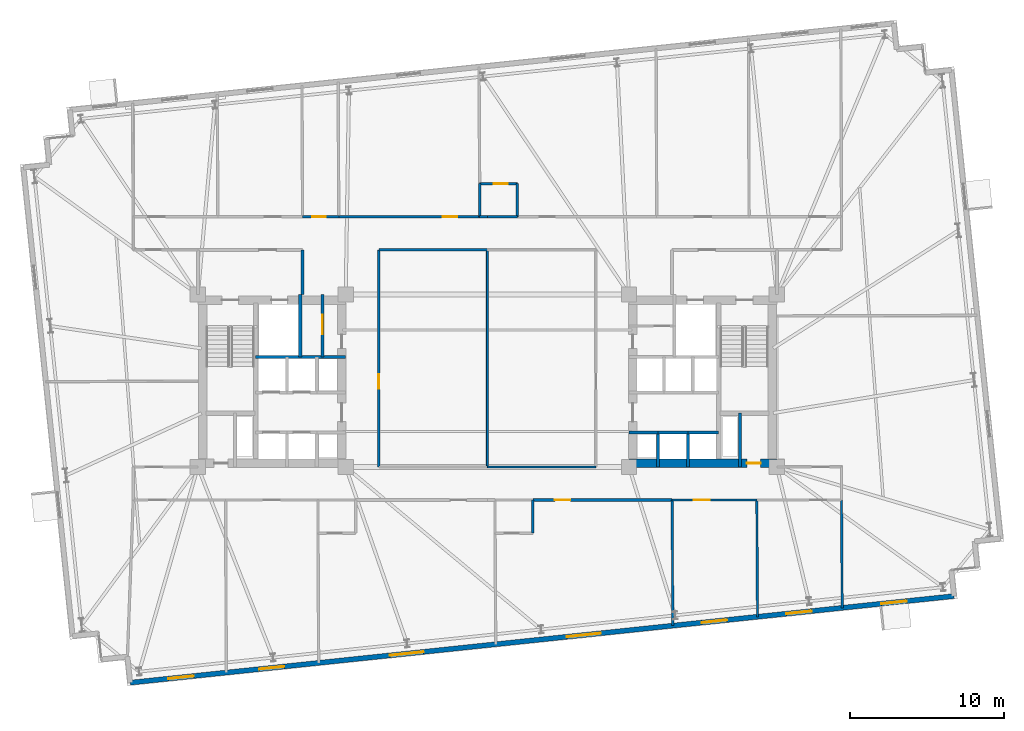
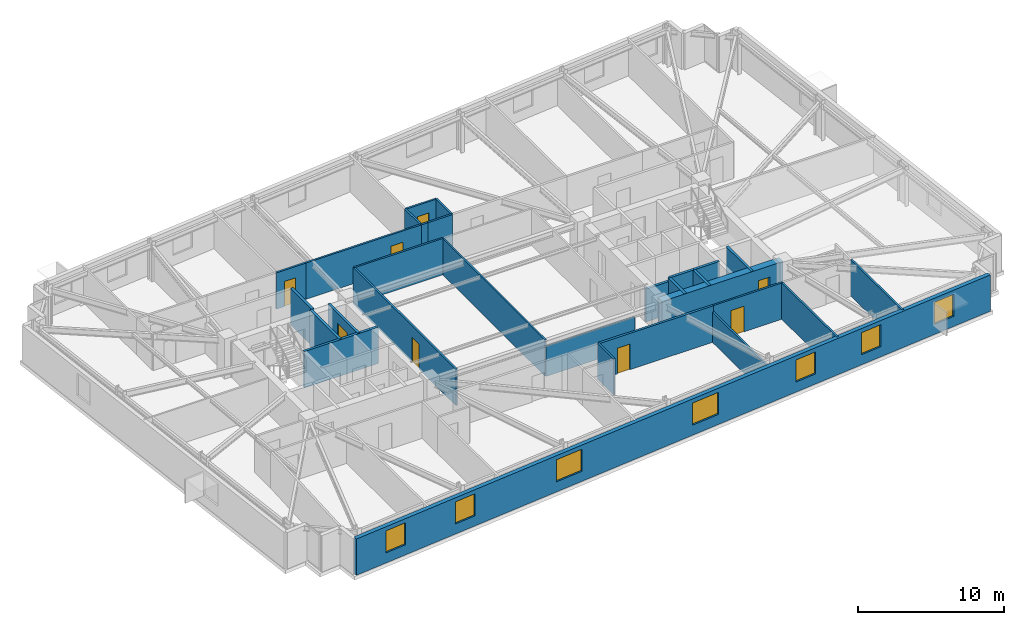
# One storey, part 13 of 18: 29 walls, 8 doors, 7 windows, 15 openings.
"""IFC4 building model written with IfcOpenShell, lengths in metres."""

from ifc_helpers import new_model, si_unit, direction, frame, frame_2d, origin, place, context, subcontext, project, spatial, rectangle, extrude, material, layer, layer_set, type_object, element, fill, save


model = new_model("IFC4")

# Units and contexts
model_context = context("Model", 3, precision=1e-05, world=origin(), true_north=direction((0.0, 1.0)))
body_context = subcontext(model_context, "Body", "Model", "MODEL_VIEW")
ifc_project = project(units=[si_unit("LENGTHUNIT", "METRE"), si_unit("AREAUNIT", "SQUARE_METRE"), si_unit("VOLUMEUNIT", "CUBIC_METRE"), si_unit("PLANEANGLEUNIT", "RADIAN"), si_unit("MASSUNIT", "GRAM", prefix="KILO")], contexts=[model_context])

# Site, building, storey
site_placement = place(None, origin())
site = spatial("IfcSite", under=ifc_project, at=site_placement, CompositionType="ELEMENT")
building_placement = place(site_placement, origin())
building = spatial("IfcBuilding", under=site, at=building_placement, Name="Qobustan Lattice House", CompositionType="ELEMENT")
storey_placement = place(building_placement, frame((0.0, 0.0, 109.14990234375)))
storey = spatial("IfcBuildingStorey", under=building, at=storey_placement, Name="L30", CompositionType="ELEMENT", Elevation=109.14990234375)

# Wall, opening, door
ifc_material_1 = material(Name="Concrete C60/75", Category="concrete")
ifc_layer_1 = layer(ifc_material_1, 0.56005859375)
ifc_layer_set_1 = layer_set([ifc_layer_1], Name="Concrete C60/75")
wall_type_1 = type_object("IfcWallType", Name="WAL-CORE-600", PredefinedType="SHEAR", material=ifc_layer_set_1)
wall_1_placement = place(storey_placement, frame((9.199951171875, -5.35009765625, 0.0), z_axis=(0.0, 0.0, 1.0), x_axis=(1.0, 0.0, 0.0)))
wall_1 = element("IfcWall", 1, at=wall_1_placement, inside=storey, type_object=wall_type_1, Name="L30 split-core shear wall CE-S", PredefinedType="SHEAR", context=body_context, shape_type="SweptSolid", body=[
    extrude(rectangle(XDim=9.60009765625, YDim=0.56005859375, at=frame_2d((4.800048828125, 0.0))), origin(), (0.0, 0.0, 1.0), 3.045166015625),
])
opening_1_placement = place(wall_1_placement, frame((7.64990234375, 0.0, 0.0)))
opening_1 = element("IfcOpeningElement", 2, at=opening_1_placement, cuts=wall_1, Name="Opening RD-01", PredefinedType="OPENING", context=body_context, shape_type="SweptSolid", body=[
    extrude(rectangle(XDim=0.89990234375, YDim=2.10009765625, at=frame_2d((0.449951171875, 1.050048828125))), frame((0.0, 0.2900390625, 0.0), z_axis=(0.0, -1.0, 0.0), x_axis=(1.0, 0.0, 0.0)), (0.0, 0.0, 1.0), 0.580078125),
])
ifc_material_2 = material(Name="Persian walnut timber and steel frame door", Category="steel")
door_type_1 = type_object("IfcDoorType", Name="DOR-RISER-FD-900x2100", OperationType="NOTDEFINED", PredefinedType="DOOR", material=ifc_material_2)
door_1_placement = place(opening_1_placement, origin())
door_1 = element("IfcDoor", 3, at=door_1_placement, inside=storey, type_object=door_type_1, Name="L30 core service riser access door E", OperationType="SINGLE_SWING_LEFT", OverallHeight=2.10009765625, OverallWidth=0.89990234375, PredefinedType="DOOR", context=body_context, shape_type="SweptSolid", body=[
    extrude(rectangle(XDim=0.89990234375, YDim=2.10009765625, at=frame_2d((0.449951171875, 1.050048828125))), frame((0.0, 0.02490234375, 0.0), z_axis=(0.0, -1.0, 0.0), x_axis=(1.0, 0.0, 0.0)), (0.0, 0.0, 1.0), 0.050048828125),
])
fill(opening_1, door_1)

# Wall, openings, windows
ifc_material_3 = material(Name="Precast concrete C40/50", Category="concrete")
ifc_layer_2 = layer(ifc_material_3, 0.320068359375)
ifc_layer_set_2 = layer_set([ifc_layer_2], Name="Precast concrete C40/50")
wall_type_2 = type_object("IfcWallType", Name="WAL-EXT-STONE-320", PredefinedType="SOLIDWALL", material=ifc_layer_set_2)
wall_2_placement = place(storey_placement, frame((30.307373046875, -13.985595703125, 0.0), z_axis=(0.0, 0.0, 1.0), x_axis=(-0.994521628355, -0.104531003701, 0.0)))
wall_2 = element("IfcWall", 4, at=wall_2_placement, inside=storey, type_object=wall_type_2, Name="L30 exterior limestone-clad wall 20", PredefinedType="SOLIDWALL", context=body_context, shape_type="SweptSolid", body=[
    extrude(rectangle(XDim=53.800048828125, YDim=0.320068359375, at=frame_2d((26.89990234375, 0.0))), origin(), (0.0, 0.0, 1.0), 3.045166015625),
])
opening_2_placement = place(wall_2_placement, frame((3.097900390625, 0.0, 0.85009765625)))
opening_2 = element("IfcOpeningElement", 5, at=opening_2_placement, cuts=wall_2, Name="Opening WN-09", PredefinedType="OPENING", context=body_context, shape_type="SweptSolid", body=[
    extrude(rectangle(XDim=1.64990234375, YDim=1.85009765625, at=frame_2d((0.824951171875, 0.925048828125))), frame((0.0, 0.169921875, 0.0), z_axis=(0.0, -1.0, 0.0), x_axis=(1.0, 0.0, 0.0)), (0.0, 0.0, 1.0), 0.340087890625),
])
opening_3_placement = place(wall_2_placement, frame((9.302490234375, 0.0, 0.85009765625)))
opening_3 = element("IfcOpeningElement", 6, at=opening_3_placement, cuts=wall_2, Name="Opening WN-09", PredefinedType="OPENING", context=body_context, shape_type="SweptSolid", body=[
    extrude(rectangle(XDim=1.64990234375, YDim=1.85009765625, at=frame_2d((0.824951171875, 0.925048828125))), frame((0.0, 0.169921875, 0.0), z_axis=(0.0, -1.0, 0.0), x_axis=(1.0, 0.0, 0.0)), (0.0, 0.0, 1.0), 0.340087890625),
])
opening_4_placement = place(wall_2_placement, frame((14.82666015625, 0.0, 0.85009765625)))
opening_4 = element("IfcOpeningElement", 7, at=opening_4_placement, cuts=wall_2, Name="Opening WN-09", PredefinedType="OPENING", context=body_context, shape_type="SweptSolid", body=[
    extrude(rectangle(XDim=1.64990234375, YDim=1.85009765625, at=frame_2d((0.824951171875, 0.925048828125))), frame((0.0, 0.169921875, 0.0), z_axis=(0.0, -1.0, 0.0), x_axis=(1.0, 0.0, 0.0)), (0.0, 0.0, 1.0), 0.340087890625),
])
opening_5_placement = place(wall_2_placement, frame((23.077880859375, 0.0, 0.85009765625)))
opening_5 = element("IfcOpeningElement", 8, at=opening_5_placement, cuts=wall_2, Name="Opening WN-03", PredefinedType="OPENING", context=body_context, shape_type="SweptSolid", body=[
    extrude(rectangle(XDim=2.199951171875, YDim=1.85009765625, at=frame_2d((1.10009765625, 0.925048828125))), frame((0.0, 0.169921875, 0.0), z_axis=(0.0, -1.0, 0.0), x_axis=(1.0, 0.0, 0.0)), (0.0, 0.0, 1.0), 0.340087890625),
])
opening_6_placement = place(wall_2_placement, frame((34.646484375, 0.0, 0.85009765625)))
opening_6 = element("IfcOpeningElement", 9, at=opening_6_placement, cuts=wall_2, Name="Opening WN-03", PredefinedType="OPENING", context=body_context, shape_type="SweptSolid", body=[
    extrude(rectangle(XDim=2.199951171875, YDim=1.85009765625, at=frame_2d((1.10009765625, 0.925048828125))), frame((0.0, 0.169921875, 0.0), z_axis=(0.0, -1.0, 0.0), x_axis=(1.0, 0.0, 0.0)), (0.0, 0.0, 1.0), 0.340087890625),
])
opening_7_placement = place(wall_2_placement, frame((43.72802734375, 0.0, 0.85009765625)))
opening_7 = element("IfcOpeningElement", 10, at=opening_7_placement, cuts=wall_2, Name="Opening WN-09", PredefinedType="OPENING", context=body_context, shape_type="SweptSolid", body=[
    extrude(rectangle(XDim=1.64990234375, YDim=1.85009765625, at=frame_2d((0.824951171875, 0.925048828125))), frame((0.0, 0.169921875, 0.0), z_axis=(0.0, -1.0, 0.0), x_axis=(1.0, 0.0, 0.0)), (0.0, 0.0, 1.0), 0.340087890625),
])
opening_8_placement = place(wall_2_placement, frame((49.652587890625, 0.0, 0.85009765625)))
opening_8 = element("IfcOpeningElement", 11, at=opening_8_placement, cuts=wall_2, Name="Opening WN-09", PredefinedType="OPENING", context=body_context, shape_type="SweptSolid", body=[
    extrude(rectangle(XDim=1.64990234375, YDim=1.85009765625, at=frame_2d((0.824951171875, 0.925048828125))), frame((0.0, 0.169921875, 0.0), z_axis=(0.0, -1.0, 0.0), x_axis=(1.0, 0.0, 0.0)), (0.0, 0.0, 1.0), 0.340087890625),
])
ifc_material_4 = material(Name="Double-glazed low-E aluminium window", Category="aluminium")
window_type_1 = type_object("IfcWindowType", Name="WIN-STU-1650x1850", PartitioningType="SINGLE_PANEL", PredefinedType="WINDOW", material=ifc_material_4)
window_1_placement = place(opening_2_placement, origin())
window_1 = element("IfcWindow", 12, at=window_1_placement, inside=storey, type_object=window_type_1, Name="L30 Fellows reading room window", OverallHeight=1.85009765625, OverallWidth=1.64990234375, PartitioningType="SINGLE_PANEL", PredefinedType="WINDOW", context=body_context, shape_type="SweptSolid", body=[
    extrude(rectangle(XDim=1.64990234375, YDim=1.85009765625, at=frame_2d((0.824951171875, 0.925048828125))), frame((0.0, 0.030029296875, 0.0), z_axis=(0.0, -1.0, 0.0), x_axis=(1.0, 0.0, 0.0)), (0.0, 0.0, 1.0), 0.06005859375),
])
fill(opening_2, window_1)
window_2_placement = place(opening_3_placement, origin())
window_2 = element("IfcWindow", 13, at=window_2_placement, inside=storey, type_object=window_type_1, Name="L30 Academic seminar room window", OverallHeight=1.85009765625, OverallWidth=1.64990234375, PartitioningType="SINGLE_PANEL", PredefinedType="WINDOW", context=body_context, shape_type="SweptSolid", body=[
    extrude(rectangle(XDim=1.64990234375, YDim=1.85009765625, at=frame_2d((0.824951171875, 0.925048828125))), frame((0.0, 0.030029296875, 0.0), z_axis=(0.0, -1.0, 0.0), x_axis=(1.0, 0.0, 0.0)), (0.0, 0.0, 1.0), 0.06005859375),
])
fill(opening_3, window_2)
window_3_placement = place(opening_4_placement, origin())
window_3 = element("IfcWindow", 14, at=window_3_placement, inside=storey, type_object=window_type_1, Name="L30 Group study room window", OverallHeight=1.85009765625, OverallWidth=1.64990234375, PartitioningType="SINGLE_PANEL", PredefinedType="WINDOW", context=body_context, shape_type="SweptSolid", body=[
    extrude(rectangle(XDim=1.64990234375, YDim=1.85009765625, at=frame_2d((0.824951171875, 0.925048828125))), frame((0.0, 0.030029296875, 0.0), z_axis=(0.0, -1.0, 0.0), x_axis=(1.0, 0.0, 0.0)), (0.0, 0.0, 1.0), 0.06005859375),
])
fill(opening_4, window_3)
window_4_placement = place(opening_7_placement, origin())
window_4 = element("IfcWindow", 15, at=window_4_placement, inside=storey, type_object=window_type_1, Name="L30 Focus study room S1B window", OverallHeight=1.85009765625, OverallWidth=1.64990234375, PartitioningType="SINGLE_PANEL", PredefinedType="WINDOW", context=body_context, shape_type="SweptSolid", body=[
    extrude(rectangle(XDim=1.64990234375, YDim=1.85009765625, at=frame_2d((0.824951171875, 0.925048828125))), frame((0.0, 0.030029296875, 0.0), z_axis=(0.0, -1.0, 0.0), x_axis=(1.0, 0.0, 0.0)), (0.0, 0.0, 1.0), 0.06005859375),
])
fill(opening_7, window_4)
window_5_placement = place(opening_8_placement, origin())
window_5 = element("IfcWindow", 16, at=window_5_placement, inside=storey, type_object=window_type_1, Name="L30 Focus study room S1A window", OverallHeight=1.85009765625, OverallWidth=1.64990234375, PartitioningType="SINGLE_PANEL", PredefinedType="WINDOW", context=body_context, shape_type="SweptSolid", body=[
    extrude(rectangle(XDim=1.64990234375, YDim=1.85009765625, at=frame_2d((0.824951171875, 0.925048828125))), frame((0.0, 0.030029296875, 0.0), z_axis=(0.0, -1.0, 0.0), x_axis=(1.0, 0.0, 0.0)), (0.0, 0.0, 1.0), 0.06005859375),
])
fill(opening_8, window_5)
ifc_material_5 = material(Name="Double-glazed low-E aluminium window", Category="aluminium")
window_type_2 = type_object("IfcWindowType", Name="WIN-WIDE-2200x1850", PartitioningType="SINGLE_PANEL", PredefinedType="WINDOW", material=ifc_material_5)
window_6_placement = place(opening_5_placement, origin())
window_6 = element("IfcWindow", 17, at=window_6_placement, inside=storey, type_object=window_type_2, Name="L30 Kitchenette and studio apartment L30-S3 window", OverallHeight=1.85009765625, OverallWidth=2.199951171875, PartitioningType="SINGLE_PANEL", PredefinedType="WINDOW", context=body_context, shape_type="SweptSolid", body=[
    extrude(rectangle(XDim=2.199951171875, YDim=1.85009765625, at=frame_2d((1.10009765625, 0.925048828125))), frame((0.0, 0.030029296875, 0.0), z_axis=(0.0, -1.0, 0.0), x_axis=(1.0, 0.0, 0.0)), (0.0, 0.0, 1.0), 0.06005859375),
])
fill(opening_5, window_6)
window_7_placement = place(opening_6_placement, origin())
window_7 = element("IfcWindow", 18, at=window_7_placement, inside=storey, type_object=window_type_2, Name="L30 Kitchenette and studio apartment L30-S2 window", OverallHeight=1.85009765625, OverallWidth=2.199951171875, PartitioningType="SINGLE_PANEL", PredefinedType="WINDOW", context=body_context, shape_type="SweptSolid", body=[
    extrude(rectangle(XDim=2.199951171875, YDim=1.85009765625, at=frame_2d((1.10009765625, 0.925048828125))), frame((0.0, 0.030029296875, 0.0), z_axis=(0.0, -1.0, 0.0), x_axis=(1.0, 0.0, 0.0)), (0.0, 0.0, 1.0), 0.06005859375),
])
fill(opening_6, window_7)

# Wall, opening, door
ifc_material_6 = material(Name="Gypsum fireboard acoustic partition", Category="gypsum")
ifc_layer_3 = layer(ifc_material_6, 0.179931640625)
ifc_layer_set_3 = layer_set([ifc_layer_3], Name="Gypsum fireboard acoustic partition")
wall_type_3 = type_object("IfcWallType", Name="WAL-FIRE-180", PredefinedType="PARTITIONING", material=ifc_layer_set_3)
wall_3_placement = place(storey_placement, frame((-10.699951171875, 5.60009765625, 0.0), z_axis=(0.0, 0.0, 1.0), x_axis=(0.0, -1.0, 0.0)))
wall_3 = element("IfcWall", 19, at=wall_3_placement, inside=storey, type_object=wall_type_3, Name="L30 interior partition 6", PredefinedType="PARTITIONING", context=body_context, shape_type="SweptSolid", body=[
    extrude(rectangle(XDim=4.050048828125, YDim=0.179931640625, at=frame_2d((2.02490234375, 0.0))), origin(), (0.0, 0.0, 1.0), 3.045166015625),
])
opening_9_placement = place(wall_3_placement, frame((1.324951171875, 0.0, 0.0)))
opening_9 = element("IfcOpeningElement", 20, at=opening_9_placement, cuts=wall_3, Name="Opening FD-03", PredefinedType="OPENING", context=body_context, shape_type="SweptSolid", body=[
    extrude(rectangle(XDim=1.25, YDim=2.199951171875, at=frame_2d((0.625, 1.10009765625))), frame((0.0, 0.099853515625, 0.0), z_axis=(0.0, -1.0, 0.0), x_axis=(1.0, 0.0, 0.0)), (0.0, 0.0, 1.0), 0.199951171875),
])
ifc_material_7 = material(Name="Persian walnut timber and steel frame door", Category="steel")
door_type_2 = type_object("IfcDoorType", Name="DOR-PLANT-1250x2200", OperationType="NOTDEFINED", PredefinedType="DOOR", material=ifc_material_7)
door_2_placement = place(opening_9_placement, origin())
door_2 = element("IfcDoor", 21, at=door_2_placement, inside=storey, type_object=door_type_2, Name="L30 Data comms closet to Linen store door", OperationType="SINGLE_SWING_LEFT", OverallHeight=2.199951171875, OverallWidth=1.25, PredefinedType="DOOR", context=body_context, shape_type="SweptSolid", body=[
    extrude(rectangle(XDim=1.25, YDim=2.199951171875, at=frame_2d((0.625, 1.10009765625))), frame((0.0, 0.02490234375, 0.0), z_axis=(0.0, -1.0, 0.0), x_axis=(1.0, 0.0, 0.0)), (0.0, 0.0, 1.0), 0.050048828125),
])
fill(opening_9, door_2)

wall_4_placement = place(storey_placement, frame((12.0, -7.75, 0.0), z_axis=(0.0, 0.0, 1.0), x_axis=(-1.0, 0.0, 0.0)))
wall_4 = element("IfcWall", 22, at=wall_4_placement, inside=storey, type_object=wall_type_3, Name="L30 interior partition 63", PredefinedType="PARTITIONING", context=body_context, shape_type="SweptSolid", body=[
    extrude(rectangle(XDim=9.050048828125, YDim=0.179931640625, at=frame_2d((4.52490234375, 0.0))), origin(), (0.0, 0.0, 1.0), 3.045166015625),
])
opening_10_placement = place(wall_4_placement, frame((6.60888671875, 0.0, 0.0)))
opening_10 = element("IfcOpeningElement", 23, at=opening_10_placement, cuts=wall_4, Name="Opening FD-02", PredefinedType="OPENING", context=body_context, shape_type="SweptSolid", body=[
    extrude(rectangle(XDim=1.0, YDim=2.14990234375, at=frame_2d((0.5, 1.074951171875))), frame((0.0, 0.099853515625, 0.0), z_axis=(0.0, -1.0, 0.0), x_axis=(1.0, 0.0, 0.0)), (0.0, 0.0, 1.0), 0.199951171875),
])
ifc_material_8 = material(Name="Persian walnut timber and steel frame door", Category="steel")
door_type_3 = type_object("IfcDoorType", Name="DOR-UNIT-FD-1000x2150", OperationType="NOTDEFINED", PredefinedType="DOOR", material=ifc_material_8)
door_3_placement = place(opening_10_placement, origin())
door_3 = element("IfcDoor", 24, at=door_3_placement, inside=storey, type_object=door_type_3, Name="L30 South-east floor corridor to Kitchenette and studio apartment L30-S3 door", OperationType="SINGLE_SWING_RIGHT", OverallHeight=2.14990234375, OverallWidth=1.0, PredefinedType="DOOR", context=body_context, shape_type="SweptSolid", body=[
    extrude(rectangle(XDim=1.0, YDim=2.14990234375, at=frame_2d((0.5, 1.074951171875))), frame((0.0, 0.02490234375, 0.0), z_axis=(0.0, -1.0, 0.0), x_axis=(1.0, 0.0, 0.0)), (0.0, 0.0, 1.0), 0.050048828125),
])
fill(opening_10, door_3)

# Walls
ifc_material_9 = material(Name="Lightweight acoustic stud partition", Category="gypsum")
ifc_layer_4 = layer(ifc_material_9, 0.125)
ifc_layer_set_4 = layer_set([ifc_layer_4], Name="Lightweight acoustic stud partition")
wall_type_4 = type_object("IfcWallType", Name="WAL-PART-125", PredefinedType="PARTITIONING", material=ifc_layer_set_4)
wall_5_placement = place(storey_placement, frame((0.0, -5.60009765625, 0.0), z_axis=(0.0, 0.0, 1.0), x_axis=(1.0, 0.0, 0.0)))
element("IfcWall", 25, at=wall_5_placement, inside=storey, type_object=wall_type_4, Name="L30 interior partition 67", PredefinedType="PARTITIONING", context=body_context, shape_type="SweptSolid", body=[
    extrude(rectangle(XDim=7.050048828125, YDim=0.125, at=frame_2d((3.52490234375, 0.0))), origin(), (0.0, 0.0, 1.0), 2.530029296875),
])
wall_6_placement = place(storey_placement, frame((0.0, 8.5, 0.0), z_axis=(0.0, 0.0, 1.0), x_axis=(0.0, -1.0, 0.0)))
element("IfcWall", 26, at=wall_6_placement, inside=storey, type_object=wall_type_4, Name="L30 interior partition 96", PredefinedType="PARTITIONING", context=body_context, shape_type="SweptSolid", body=[
    extrude(rectangle(XDim=14.10009765625, YDim=0.125, at=frame_2d((7.050048828125, 0.0))), origin(), (0.0, 0.0, 1.0), 3.045166015625),
])

# Wall, opening, door
ifc_material_10 = material(Name="Acoustic twin-stud gypsum partition", Category="gypsum")
ifc_layer_5 = layer(ifc_material_10, 0.14990234375)
ifc_layer_set_5 = layer_set([ifc_layer_5], Name="Acoustic twin-stud gypsum partition")
wall_type_5 = type_object("IfcWallType", Name="WAL-PART-150", PredefinedType="PARTITIONING", material=ifc_layer_set_5)
wall_7_placement = place(storey_placement, frame((-9.64990234375, 10.64990234375, 0.0), z_axis=(0.0, 0.0, 1.0), x_axis=(1.0, 0.0, 0.0)))
wall_7 = element("IfcWall", 27, at=wall_7_placement, inside=storey, type_object=wall_type_5, Name="L30 interior partition 43", PredefinedType="PARTITIONING", context=body_context, shape_type="SweptSolid", body=[
    extrude(rectangle(XDim=9.14990234375, YDim=0.14990234375, at=frame_2d((4.574951171875, 0.0))), origin(), (0.0, 0.0, 1.0), 3.045166015625),
])
opening_11_placement = place(wall_7_placement, frame((6.739990234375, 0.0, 0.0)))
opening_11 = element("IfcOpeningElement", 28, at=opening_11_placement, cuts=wall_7, Name="Opening ID-01", PredefinedType="OPENING", context=body_context, shape_type="SweptSolid", body=[
    extrude(rectangle(XDim=0.949951171875, YDim=2.10009765625, at=frame_2d((0.47509765625, 1.050048828125))), frame((0.0, 0.0849609375, 0.0), z_axis=(0.0, -1.0, 0.0), x_axis=(1.0, 0.0, 0.0)), (0.0, 0.0, 1.0), 0.169921875),
])
ifc_material_11 = material(Name="Persian walnut timber and steel frame door", Category="steel")
door_type_4 = type_object("IfcDoorType", Name="DOR-ROOM-950x2100", OperationType="NOTDEFINED", PredefinedType="DOOR", material=ifc_material_11)
door_4_placement = place(opening_11_placement, origin())
door_4 = element("IfcDoor", 29, at=door_4_placement, inside=storey, type_object=door_type_4, Name="L30 North-west floor corridor to Laundry utility room door", OperationType="SINGLE_SWING_RIGHT", OverallHeight=2.10009765625, OverallWidth=0.949951171875, PredefinedType="DOOR", context=body_context, shape_type="SweptSolid", body=[
    extrude(rectangle(XDim=0.949951171875, YDim=2.10009765625, at=frame_2d((0.47509765625, 1.050048828125))), frame((0.0, 0.02490234375, 0.0), z_axis=(0.0, -1.0, 0.0), x_axis=(1.0, 0.0, 0.0)), (0.0, 0.0, 1.0), 0.050048828125),
])
fill(opening_11, door_4)

# Wall
wall_8_placement = place(storey_placement, frame((0.0, 8.5, 0.0), z_axis=(0.0, 0.0, 1.0), x_axis=(-1.0, 0.0, 0.0)))
element("IfcWall", 30, at=wall_8_placement, inside=storey, type_object=wall_type_5, Name="L30 interior partition 45", PredefinedType="PARTITIONING", context=body_context, shape_type="SweptSolid", body=[
    extrude(rectangle(XDim=7.050048828125, YDim=0.14990234375, at=frame_2d((3.52490234375, 0.0))), origin(), (0.0, 0.0, 1.0), 3.045166015625),
])

# Wall, opening, door
wall_9_placement = place(storey_placement, frame((17.5, -7.75, 0.0), z_axis=(0.0, 0.0, 1.0), x_axis=(-1.0, 0.0, 0.0)))
wall_9 = element("IfcWall", 31, at=wall_9_placement, inside=storey, type_object=wall_type_5, Name="L30 interior partition 65", PredefinedType="PARTITIONING", context=body_context, shape_type="SweptSolid", body=[
    extrude(rectangle(XDim=5.5, YDim=0.14990234375, at=frame_2d((2.75, 0.0))), origin(), (0.0, 0.0, 1.0), 3.045166015625),
])
opening_12_placement = place(wall_9_placement, frame((3.047607421875, 0.0, 0.0)))
opening_12 = element("IfcOpeningElement", 32, at=opening_12_placement, cuts=wall_9, Name="Opening ID-02", PredefinedType="OPENING", context=body_context, shape_type="SweptSolid", body=[
    extrude(rectangle(XDim=1.050048828125, YDim=2.14990234375, at=frame_2d((0.52490234375, 1.074951171875))), frame((0.0, 0.0849609375, 0.0), z_axis=(0.0, -1.0, 0.0), x_axis=(1.0, 0.0, 0.0)), (0.0, 0.0, 1.0), 0.169921875),
])
ifc_material_12 = material(Name="Persian walnut timber and steel frame door", Category="steel")
door_type_5 = type_object("IfcDoorType", Name="DOR-STUDY-1050x2150", OperationType="NOTDEFINED", PredefinedType="DOOR", material=ifc_material_12)
door_5_placement = place(opening_12_placement, origin())
door_5 = element("IfcDoor", 33, at=door_5_placement, inside=storey, type_object=door_type_5, Name="L30 South-east floor corridor to Group study room door", OperationType="SINGLE_SWING_LEFT", OverallHeight=2.14990234375, OverallWidth=1.050048828125, PredefinedType="DOOR", context=body_context, shape_type="SweptSolid", body=[
    extrude(rectangle(XDim=1.050048828125, YDim=2.14990234375, at=frame_2d((0.52490234375, 1.074951171875))), frame((0.0, 0.02490234375, 0.0), z_axis=(0.0, -1.0, 0.0), x_axis=(1.0, 0.0, 0.0)), (0.0, 0.0, 1.0), 0.050048828125),
])
fill(opening_12, door_5)

wall_10_placement = place(storey_placement, frame((-7.050048828125, 8.5, 0.0), z_axis=(0.0, 0.0, 1.0), x_axis=(0.0, -1.0, 0.0)))
wall_10 = element("IfcWall", 34, at=wall_10_placement, inside=storey, type_object=wall_type_5, Name="L30 interior partition 68", PredefinedType="PARTITIONING", context=body_context, shape_type="SweptSolid", body=[
    extrude(rectangle(XDim=14.10009765625, YDim=0.14990234375, at=frame_2d((7.050048828125, 0.0))), origin(), (0.0, 0.0, 1.0), 3.045166015625),
])
opening_13_placement = place(wall_10_placement, frame((8.07373046875, 0.0, 0.0)))
opening_13 = element("IfcOpeningElement", 35, at=opening_13_placement, cuts=wall_10, Name="Opening ID-01", PredefinedType="OPENING", context=body_context, shape_type="SweptSolid", body=[
    extrude(rectangle(XDim=0.949951171875, YDim=2.10009765625, at=frame_2d((0.47509765625, 1.050048828125))), frame((0.0, 0.0849609375, 0.0), z_axis=(0.0, -1.0, 0.0), x_axis=(1.0, 0.0, 0.0)), (0.0, 0.0, 1.0), 0.169921875),
])
door_6_placement = place(opening_13_placement, origin())
door_6 = element("IfcDoor", 36, at=door_6_placement, inside=storey, type_object=door_type_4, Name="L30 West floor link corridor to Design studio workspace door", OperationType="SINGLE_SWING_LEFT", OverallHeight=2.10009765625, OverallWidth=0.949951171875, PredefinedType="DOOR", context=body_context, shape_type="SweptSolid", body=[
    extrude(rectangle(XDim=0.949951171875, YDim=2.10009765625, at=frame_2d((0.47509765625, 1.050048828125))), frame((0.0, 0.02490234375, 0.0), z_axis=(0.0, -1.0, 0.0), x_axis=(1.0, 0.0, 0.0)), (0.0, 0.0, 1.0), 0.050048828125),
])
fill(opening_13, door_6)

# Walls
wall_11_placement = place(storey_placement, frame((23.0439453125, -14.7490234375, 0.0), z_axis=(0.0, 0.0, 1.0), x_axis=(-0.006278653971, 0.999980289058, 0.0)))
element("IfcWall", 37, at=wall_11_placement, inside=storey, type_object=wall_type_5, Name="L30 interior partition 74", PredefinedType="PARTITIONING", context=body_context, shape_type="SweptSolid", body=[
    extrude(rectangle(XDim=6.999267578125, YDim=0.14990234375, at=frame_2d((3.49951171875, 0.0))), origin(), (0.0, 0.0, 1.0), 3.045166015625),
])
wall_12_placement = place(storey_placement, frame((12.0, -7.75, 0.0), z_axis=(0.0, 0.0, 1.0), x_axis=(0.005388497987, -0.999985481939, 0.0)))
element("IfcWall", 38, at=wall_12_placement, inside=storey, type_object=wall_type_5, Name="L30 interior partition 94", PredefinedType="PARTITIONING", context=body_context, shape_type="SweptSolid", body=[
    extrude(rectangle(XDim=8.1552734375, YDim=0.14990234375, at=frame_2d((4.07763671875, 0.0))), origin(), (0.0, 0.0, 1.0), 2.530029296875),
])
wall_13_placement = place(storey_placement, frame((17.5, -7.75, 0.0), z_axis=(0.0, 0.0, 1.0), x_axis=(0.005799618919, -0.999983182069, 0.0)))
element("IfcWall", 39, at=wall_13_placement, inside=storey, type_object=wall_type_5, Name="L30 interior partition 95", PredefinedType="PARTITIONING", context=body_context, shape_type="SweptSolid", body=[
    extrude(rectangle(XDim=7.577392578125, YDim=0.14990234375, at=frame_2d((3.78857421875, 0.0))), origin(), (0.0, 0.0, 1.0), 3.045166015625),
])
ifc_material_13 = material(Name="Two-hour gypsum fireboard acoustic partition", Category="gypsum")
ifc_layer_6 = layer(ifc_material_13, 0.199951171875)
ifc_layer_set_6 = layer_set([ifc_layer_6], Name="Two-hour gypsum fireboard acoustic partition")
wall_type_6 = type_object("IfcWallType", Name="WAL-PROT-200", PredefinedType="PARTITIONING", material=ifc_layer_set_6)
wall_14_placement = place(storey_placement, frame((-12.0, 5.60009765625, 0.0), z_axis=(0.0, 0.0, 1.0), x_axis=(0.0, 1.0, 0.0)))
element("IfcWall", 40, at=wall_14_placement, inside=storey, type_object=wall_type_6, Name="L30 interior partition 4", PredefinedType="PARTITIONING", context=body_context, shape_type="SweptSolid", body=[
    extrude(rectangle(XDim=2.89990234375, YDim=0.199951171875, at=frame_2d((1.449951171875, 0.0))), origin(), (0.0, 0.0, 1.0), 3.045166015625),
])
ifc_material_14 = material(Name="Concrete C40/50", Category="concrete")
ifc_layer_7 = layer(ifc_material_14, 0.199951171875)
ifc_layer_set_7 = layer_set([ifc_layer_7], Name="Concrete C40/50")
wall_type_7 = type_object("IfcWallType", Name="WAL-SHAFT-200", PredefinedType="PARTITIONING", material=ifc_layer_set_7)
wall_15_placement = place(storey_placement, frame((-12.14990234375, 1.550048828125, 0.0), z_axis=(0.0, 0.0, 1.0), x_axis=(0.0, 1.0, 0.0)))
element("IfcWall", 41, at=wall_15_placement, inside=storey, type_object=wall_type_7, Name="L30 interior partition 2", PredefinedType="PARTITIONING", context=body_context, shape_type="SweptSolid", body=[
    extrude(rectangle(XDim=4.050048828125, YDim=0.199951171875, at=frame_2d((2.02490234375, 0.0))), origin(), (0.0, 0.0, 1.0), 3.045166015625),
])
wall_16_placement = place(storey_placement, frame((16.39990234375, -2.110107421875, 0.0), z_axis=(0.0, 0.0, 1.0), x_axis=(0.0, -1.0, 0.0)))
element("IfcWall", 42, at=wall_16_placement, inside=storey, type_object=wall_type_7, Name="L30 interior partition 19", PredefinedType="PARTITIONING", context=body_context, shape_type="SweptSolid", body=[
    extrude(rectangle(XDim=3.489990234375, YDim=0.199951171875, at=frame_2d((1.7451171875, 0.0))), origin(), (0.0, 0.0, 1.0), 3.045166015625),
])
wall_17_placement = place(storey_placement, frame((9.199951171875, -3.35009765625, 0.0), z_axis=(0.0, 0.0, 1.0), x_axis=(1.0, 0.0, 0.0)))
element("IfcWall", 43, at=wall_17_placement, inside=storey, type_object=wall_type_7, Name="L30 interior partition 27", PredefinedType="PARTITIONING", context=body_context, shape_type="SweptSolid", body=[
    extrude(rectangle(XDim=1.880126953125, YDim=0.199951171875, at=frame_2d((0.93994140625, 0.0))), origin(), (0.0, 0.0, 1.0), 2.760009765625),
])
wall_18_placement = place(storey_placement, frame((11.080078125, -3.35009765625, 0.0), z_axis=(0.0, 0.0, 1.0), x_axis=(1.0, 0.0, 0.0)))
element("IfcWall", 44, at=wall_18_placement, inside=storey, type_object=wall_type_7, Name="L30 interior partition 28", PredefinedType="PARTITIONING", context=body_context, shape_type="SweptSolid", body=[
    extrude(rectangle(XDim=1.93994140625, YDim=0.199951171875, at=frame_2d((0.969970703125, 0.0))), origin(), (0.0, 0.0, 1.0), 3.045166015625),
])
wall_19_placement = place(storey_placement, frame((13.02001953125, -3.35009765625, 0.0), z_axis=(0.0, 0.0, 1.0), x_axis=(1.0, 0.0, 0.0)))
element("IfcWall", 45, at=wall_19_placement, inside=storey, type_object=wall_type_7, Name="L30 interior partition 29", PredefinedType="PARTITIONING", context=body_context, shape_type="SweptSolid", body=[
    extrude(rectangle(XDim=2.0, YDim=0.199951171875, at=frame_2d((1.0, 0.0))), origin(), (0.0, 0.0, 1.0), 3.045166015625),
])
for number, where, z_axis, x_axis, name in (
    (46, (11.080078125, -5.60009765625, 0.0), (0.0, 0.0, 1.0), (0.0, 1.0, 0.0), "L30 interior partition 34"),
    (47, (13.02001953125, -5.60009765625, 0.0), (0.0, 0.0, 1.0), (0.0, 1.0, 0.0), "L30 interior partition 35"),
):
    element("IfcWall", number, at=place(storey_placement, frame(where, z_axis=z_axis, x_axis=x_axis)), inside=storey, type_object=wall_type_7, Name=name, PredefinedType="PARTITIONING", context=body_context, shape_type="SweptSolid", body=[
        extrude(rectangle(XDim=2.25, YDim=0.199951171875, at=frame_2d((1.125, 0.0))), origin(), (0.0, 0.0, 1.0), 3.045166015625),
    ])
wall_20_placement = place(storey_placement, frame((-15.050048828125, 1.550048828125, 0.0), z_axis=(0.0, 0.0, 1.0), x_axis=(1.0, 0.0, 0.0)))
element("IfcWall", 48, at=wall_20_placement, inside=storey, type_object=wall_type_7, Name="L30 interior partition 97", PredefinedType="PARTITIONING", context=body_context, shape_type="SweptSolid", body=[
    extrude(rectangle(XDim=5.85009765625, YDim=0.199951171875, at=frame_2d((2.925048828125, 0.0))), origin(), (0.0, 0.0, 1.0), 3.045166015625),
])

# Wall, opening, door
ifc_material_15 = material(Name="Moisture-resistant acoustic plumbing wall", Category="gypsum")
ifc_layer_8 = layer(ifc_material_15, 0.14990234375)
ifc_layer_set_8 = layer_set([ifc_layer_8], Name="Moisture-resistant acoustic plumbing wall")
wall_type_8 = type_object("IfcWallType", Name="WAL-WET-150", PredefinedType="PLUMBINGWALL", material=ifc_layer_set_8)
wall_21_placement = place(storey_placement, frame((-12.0, 10.64990234375, 0.0), z_axis=(0.0, 0.0, 1.0), x_axis=(1.0, 0.0, 0.0)))
wall_21 = element("IfcWall", 49, at=wall_21_placement, inside=storey, type_object=wall_type_8, Name="L30 interior partition 42", PredefinedType="PLUMBINGWALL", context=body_context, shape_type="SweptSolid", body=[
    extrude(rectangle(XDim=2.35009765625, YDim=0.14990234375, at=frame_2d((1.175048828125, 0.0))), origin(), (0.0, 0.0, 1.0), 3.045166015625),
])
opening_14_placement = place(wall_21_placement, frame((0.6162109375, 0.0, 0.0)))
opening_14 = element("IfcOpeningElement", 50, at=opening_14_placement, cuts=wall_21, Name="Opening WD-01", PredefinedType="OPENING", context=body_context, shape_type="SweptSolid", body=[
    extrude(rectangle(XDim=0.89990234375, YDim=2.10009765625, at=frame_2d((0.449951171875, 1.050048828125))), frame((0.0, 0.0849609375, 0.0), z_axis=(0.0, -1.0, 0.0), x_axis=(1.0, 0.0, 0.0)), (0.0, 0.0, 1.0), 0.169921875),
])
ifc_material_16 = material(Name="Persian walnut timber and steel frame door", Category="steel")
door_type_6 = type_object("IfcDoorType", Name="DOR-WET-900x2100", OperationType="NOTDEFINED", PredefinedType="DOOR", material=ifc_material_16)
door_7_placement = place(opening_14_placement, origin())
door_7 = element("IfcDoor", 51, at=door_7_placement, inside=storey, type_object=door_type_6, Name="L30 North-west floor corridor to Accessible WC door", OperationType="SINGLE_SWING_LEFT", OverallHeight=2.10009765625, OverallWidth=0.89990234375, PredefinedType="DOOR", context=body_context, shape_type="SweptSolid", body=[
    extrude(rectangle(XDim=0.89990234375, YDim=2.10009765625, at=frame_2d((0.449951171875, 1.050048828125))), frame((0.0, 0.02490234375, 0.0), z_axis=(0.0, -1.0, 0.0), x_axis=(1.0, 0.0, 0.0)), (0.0, 0.0, 1.0), 0.050048828125),
])
fill(opening_14, door_7)

# Walls
wall_22_placement = place(storey_placement, frame((-0.5, 10.64990234375, 0.0), z_axis=(0.0, 0.0, 1.0), x_axis=(1.0, 0.0, 0.0)))
element("IfcWall", 52, at=wall_22_placement, inside=storey, type_object=wall_type_8, Name="L30 interior partition 44", PredefinedType="PLUMBINGWALL", context=body_context, shape_type="SweptSolid", body=[
    extrude(rectangle(XDim=0.5, YDim=0.14990234375, at=frame_2d((0.25, 0.0))), origin(), (0.0, 0.0, 1.0), 3.045166015625),
])
wall_23_placement = place(storey_placement, frame((0.0, 10.64990234375, 0.0), z_axis=(0.0, 0.0, 1.0), x_axis=(1.0, 0.0, 0.0)))
element("IfcWall", 53, at=wall_23_placement, inside=storey, type_object=wall_type_8, Name="L30 interior partition 49", PredefinedType="PLUMBINGWALL", context=body_context, shape_type="SweptSolid", body=[
    extrude(rectangle(XDim=1.949951171875, YDim=0.14990234375, at=frame_2d((0.97509765625, 0.0))), origin(), (0.0, 0.0, 1.0), 3.045166015625),
])
wall_24_placement = place(storey_placement, frame((-0.5, 12.800048828125, 0.0), z_axis=(0.0, 0.0, 1.0), x_axis=(0.0, -1.0, 0.0)))
element("IfcWall", 54, at=wall_24_placement, inside=storey, type_object=wall_type_8, Name="L30 interior partition 80", PredefinedType="PLUMBINGWALL", context=body_context, shape_type="SweptSolid", body=[
    extrude(rectangle(XDim=2.150146484375, YDim=0.14990234375, at=frame_2d((1.0751953125, 0.0))), origin(), (0.0, 0.0, 1.0), 3.045166015625),
])

# Wall, opening, door
wall_25_placement = place(storey_placement, frame((1.949951171875, 12.800048828125, 0.0), z_axis=(0.0, 0.0, 1.0), x_axis=(-1.0, 0.0, 0.0)))
wall_25 = element("IfcWall", 55, at=wall_25_placement, inside=storey, type_object=wall_type_8, Name="L30 interior partition 81", PredefinedType="PLUMBINGWALL", context=body_context, shape_type="SweptSolid", body=[
    extrude(rectangle(XDim=2.449951171875, YDim=0.14990234375, at=frame_2d((1.22509765625, 0.0))), origin(), (0.0, 0.0, 1.0), 3.045166015625),
])
opening_15_placement = place(wall_25_placement, frame((0.62890625, 0.0, 0.0)))
opening_15 = element("IfcOpeningElement", 56, at=opening_15_placement, cuts=wall_25, Name="Opening WD-01", PredefinedType="OPENING", context=body_context, shape_type="SweptSolid", body=[
    extrude(rectangle(XDim=0.89990234375, YDim=2.10009765625, at=frame_2d((0.449951171875, 1.050048828125))), frame((0.0, 0.0849609375, 0.0), z_axis=(0.0, -1.0, 0.0), x_axis=(1.0, 0.0, 0.0)), (0.0, 0.0, 1.0), 0.169921875),
])
door_8_placement = place(opening_15_placement, origin())
door_8 = element("IfcDoor", 57, at=door_8_placement, inside=storey, type_object=door_type_6, Name="L30 Kitchenette and studio apartment L30-N3 to En-suite bathroom L30-N3 door", OperationType="SINGLE_SWING_LEFT", OverallHeight=2.10009765625, OverallWidth=0.89990234375, PredefinedType="DOOR", context=body_context, shape_type="SweptSolid", body=[
    extrude(rectangle(XDim=0.89990234375, YDim=2.10009765625, at=frame_2d((0.449951171875, 1.050048828125))), frame((0.0, 0.02490234375, 0.0), z_axis=(0.0, -1.0, 0.0), x_axis=(1.0, 0.0, 0.0)), (0.0, 0.0, 1.0), 0.050048828125),
])
fill(opening_15, door_8)

# Walls
wall_26_placement = place(storey_placement, frame((1.949951171875, 10.64990234375, 0.0), z_axis=(0.0, 0.0, 1.0), x_axis=(0.0, 1.0, 0.0)))
element("IfcWall", 58, at=wall_26_placement, inside=storey, type_object=wall_type_8, Name="L30 interior partition 82", PredefinedType="PLUMBINGWALL", context=body_context, shape_type="SweptSolid", body=[
    extrude(rectangle(XDim=2.150146484375, YDim=0.14990234375, at=frame_2d((1.0751953125, 0.0))), origin(), (0.0, 0.0, 1.0), 3.045166015625),
])
wall_27_placement = place(storey_placement, frame((2.949951171875, -9.89990234375, 0.0), z_axis=(0.0, 0.0, 1.0), x_axis=(0.0, 1.0, 0.0)))
element("IfcWall", 59, at=wall_27_placement, inside=storey, type_object=wall_type_8, Name="L30 interior partition 93", PredefinedType="PLUMBINGWALL", context=body_context, shape_type="SweptSolid", body=[
    extrude(rectangle(XDim=2.14990234375, YDim=0.14990234375, at=frame_2d((1.074951171875, 0.0))), origin(), (0.0, 0.0, 1.0), 3.045166015625),
])

save(model, "model.ifc")
